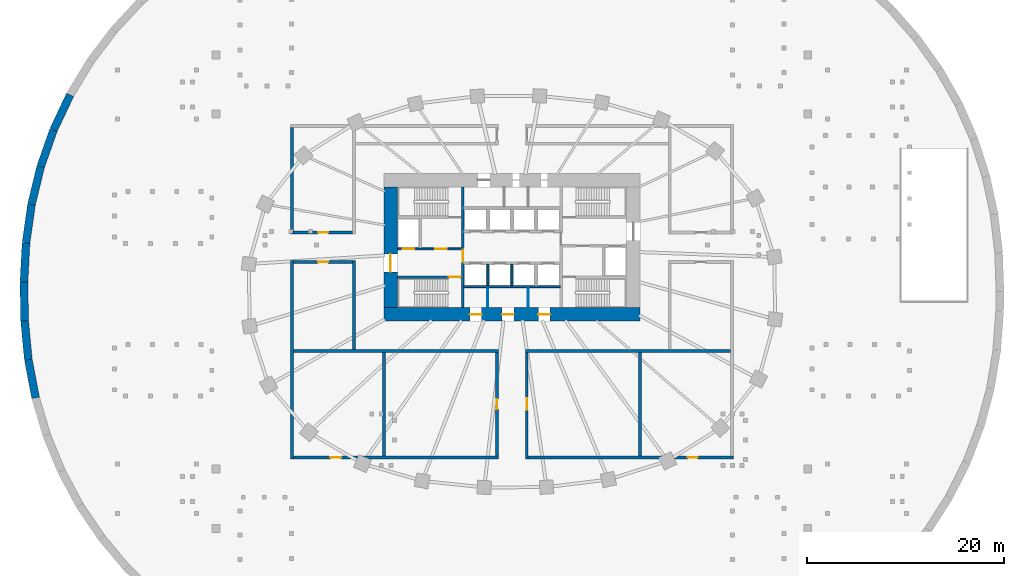
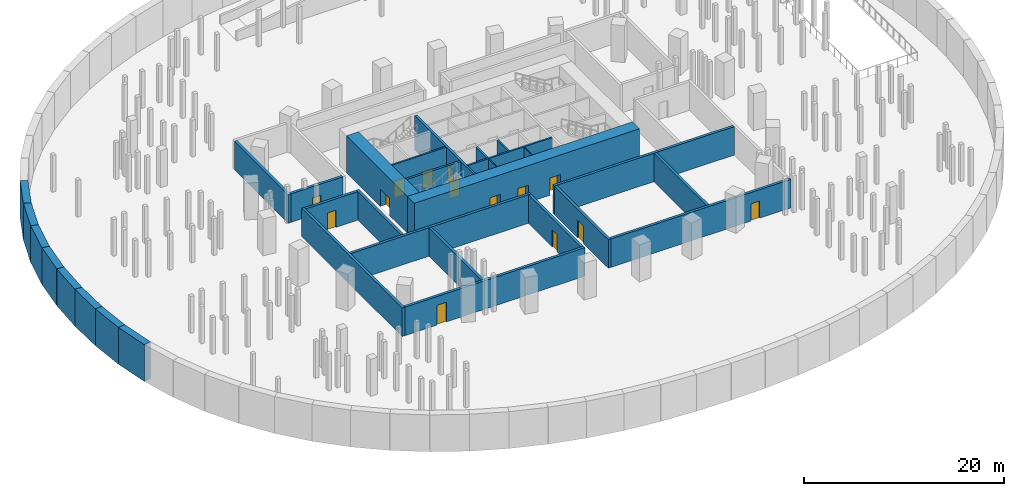
# One storey, part 4 of 9: 31 walls, 14 doors, 14 openings.
"""IFC4 building model written with IfcOpenShell, lengths in metres."""

from ifc_helpers import new_model, si_unit, direction, frame, frame_2d, origin, place, context, subcontext, project, spatial, rectangle, extrude, material, layer, layer_set, type_object, element, fill, save


model = new_model("IFC4")

# Units and contexts
model_context = context("Model", 3, precision=1e-05, world=origin(), true_north=direction((0.0, 1.0)))
body_context = subcontext(model_context, "Body", "Model", "MODEL_VIEW")
ifc_project = project(units=[si_unit("LENGTHUNIT", "METRE"), si_unit("AREAUNIT", "SQUARE_METRE"), si_unit("VOLUMEUNIT", "CUBIC_METRE"), si_unit("PLANEANGLEUNIT", "RADIAN"), si_unit("MASSUNIT", "GRAM", prefix="KILO")], contexts=[model_context])

# Site, building, storey
site_placement = place(None, origin())
site = spatial("IfcSite", under=ifc_project, at=site_placement, CompositionType="ELEMENT")
building_placement = place(site_placement, origin())
building = spatial("IfcBuilding", under=site, at=building_placement, Name="Rubra Terraces Tower", CompositionType="ELEMENT")
storey_placement = place(building_placement, frame((0.0, 0.0, -10.5)))
storey = spatial("IfcBuildingStorey", under=building, at=storey_placement, Name="B2", CompositionType="ELEMENT", Elevation=-10.5)

# Walls
ifc_material_1 = material(Name="Concrete C40", Category="concrete")
ifc_layer_1 = layer(ifc_material_1, 0.800048828125)
ifc_layer_set_1 = layer_set([ifc_layer_1], Name="Concrete C40")
wall_type_1 = type_object("IfcWallType", Name="BASEMENT WALL 800", PredefinedType="SOLIDWALL", material=ifc_layer_set_1)
wall_1_placement = place(storey_placement, frame((-48.31298828125, -10.77197265625, 0.0), z_axis=(0.0, 0.0, 1.0), x_axis=(-0.187291226667, 0.982304431637, 0.0)))
element("IfcWall", 1, at=wall_1_placement, inside=storey, type_object=wall_type_1, Name="wall-B2-basement-036", PredefinedType="SOLIDWALL", context=body_context, shape_type="SweptSolid", body=[
    extrude(rectangle(XDim=3.94580078125, YDim=0.800048828125, at=frame_2d((1.972900390625, 0.0))), origin(), (0.0, 0.0, 1.0), 4.5),
])
wall_2_placement = place(storey_placement, frame((-49.052001953125, -6.89599609375, 0.0), z_axis=(0.0, 0.0, 1.0), x_axis=(-0.095235161582, 0.995454802589, 0.0)))
element("IfcWall", 2, at=wall_2_placement, inside=storey, type_object=wall_type_1, Name="wall-B2-basement-037", PredefinedType="SOLIDWALL", context=body_context, shape_type="SweptSolid", body=[
    extrude(rectangle(XDim=3.94775390625, YDim=0.800048828125, at=frame_2d((1.973876953125, 0.0))), origin(), (0.0, 0.0, 1.0), 4.5),
])
wall_3_placement = place(storey_placement, frame((-49.427978515625, -2.966064453125, 0.0), z_axis=(0.0, 0.0, 1.0), x_axis=(-0.016664352334, 0.99986114004, 0.0)))
element("IfcWall", 3, at=wall_3_placement, inside=storey, type_object=wall_type_1, Name="wall-B2-basement-038", PredefinedType="SOLIDWALL", context=body_context, shape_type="SweptSolid", body=[
    extrude(rectangle(XDim=3.95556640625, YDim=0.800048828125, at=frame_2d((1.977783203125, 0.0))), origin(), (0.0, 0.0, 1.0), 4.5),
])
wall_4_placement = place(storey_placement, frame((-49.493896484375, 0.989013671875, 0.0), z_axis=(0.0, 0.0, 1.0), x_axis=(0.053119676616, 0.998588153323, 0.0)))
element("IfcWall", 4, at=wall_4_placement, inside=storey, type_object=wall_type_1, Name="wall-B2-basement-039", PredefinedType="SOLIDWALL", context=body_context, shape_type="SweptSolid", body=[
    extrude(rectangle(XDim=3.95263671875, YDim=0.800048828125, at=frame_2d((1.976318359375, 0.0))), origin(), (0.0, 0.0, 1.0), 4.5),
])
wall_5_placement = place(storey_placement, frame((-49.283935546875, 4.93603515625, 0.0), z_axis=(0.0, 0.0, 1.0), x_axis=(0.14059001303, 0.990067900821, 0.0)))
element("IfcWall", 5, at=wall_5_placement, inside=storey, type_object=wall_type_1, Name="wall-B2-basement-040", PredefinedType="SOLIDWALL", context=body_context, shape_type="SweptSolid", body=[
    extrude(rectangle(XDim=3.947265625, YDim=0.800048828125, at=frame_2d((1.9736328125, 0.0))), origin(), (0.0, 0.0, 1.0), 4.5),
])
wall_6_placement = place(storey_placement, frame((-48.72900390625, 8.843994140625, 0.0), z_axis=(0.0, 0.0, 1.0), x_axis=(0.235126783893, 0.971964708977, 0.0)))
element("IfcWall", 6, at=wall_6_placement, inside=storey, type_object=wall_type_1, Name="wall-B2-basement-041", PredefinedType="SOLIDWALL", context=body_context, shape_type="SweptSolid", body=[
    extrude(rectangle(XDim=3.942626953125, YDim=0.800048828125, at=frame_2d((1.97119140625, 0.0))), origin(), (0.0, 0.0, 1.0), 4.5),
])
wall_7_placement = place(storey_placement, frame((-47.802001953125, 12.676025390625, 0.0), z_axis=(0.0, 0.0, 1.0), x_axis=(0.331378765585, 0.94349780801, 0.0)))
element("IfcWall", 7, at=wall_7_placement, inside=storey, type_object=wall_type_1, Name="wall-B2-basement-042", PredefinedType="SOLIDWALL", context=body_context, shape_type="SweptSolid", body=[
    extrude(rectangle(XDim=3.94384765625, YDim=0.800048828125, at=frame_2d((1.971923828125, 0.0))), origin(), (0.0, 0.0, 1.0), 4.5),
])
wall_8_placement = place(storey_placement, frame((-46.4951171875, 16.39697265625, 0.0), z_axis=(0.0, 0.0, 1.0), x_axis=(0.425910354888, 0.904765367153, 0.0)))
element("IfcWall", 8, at=wall_8_placement, inside=storey, type_object=wall_type_1, Name="wall-B2-basement-043", PredefinedType="SOLIDWALL", context=body_context, shape_type="SweptSolid", body=[
    extrude(rectangle(XDim=3.942626953125, YDim=0.800048828125, at=frame_2d((1.97119140625, 0.0))), origin(), (0.0, 0.0, 1.0), 4.5),
])

# Wall, openings, doors
ifc_material_2 = material(Name="Concrete C70", Category="concrete")
ifc_layer_2 = layer(ifc_material_2, 1.39990234375)
ifc_layer_set_2 = layer_set([ifc_layer_2], Name="Concrete C70")
wall_type_2 = type_object("IfcWallType", Name="CORE WALL 1400 C70", PredefinedType="SHEAR", material=ifc_layer_set_2)
wall_9_placement = place(storey_placement, frame((-13.0, -2.300048828125, 0.0), z_axis=(0.0, 0.0, 1.0), x_axis=(1.0, 0.0, 0.0)))
wall_9 = element("IfcWall", 9, at=wall_9_placement, inside=storey, type_object=wall_type_2, Name="CORE WALL S B2", PredefinedType="SHEAR", context=body_context, shape_type="SweptSolid", body=[
    extrude(rectangle(XDim=26.0, YDim=1.39990234375, at=frame_2d((13.0, 0.0))), origin(), (0.0, 0.0, 1.0), 4.5),
])
opening_1_placement = place(wall_9_placement, frame((8.72509765625, 0.0, 0.0)))
opening_1 = element("IfcOpeningElement", 10, at=opening_1_placement, cuts=wall_9, Name="Opening B2.C21", PredefinedType="OPENING", context=body_context, shape_type="SweptSolid", body=[
    extrude(rectangle(XDim=1.199951171875, YDim=2.10009765625, at=frame_2d((0.60009765625, 1.050048828125))), frame((0.0, 0.7099609375, 0.0), z_axis=(0.0, -1.0, 0.0), x_axis=(1.0, 0.0, 0.0)), (0.0, 0.0, 1.0), 1.419921875),
])
opening_2_placement = place(wall_9_placement, frame((12.0, 0.0, 0.0)))
opening_2 = element("IfcOpeningElement", 11, at=opening_2_placement, cuts=wall_9, Name="Opening B2.C22", PredefinedType="OPENING", context=body_context, shape_type="SweptSolid", body=[
    extrude(rectangle(XDim=1.199951171875, YDim=2.10009765625, at=frame_2d((0.60009765625, 1.050048828125))), frame((0.0, 0.7099609375, 0.0), z_axis=(0.0, -1.0, 0.0), x_axis=(1.0, 0.0, 0.0)), (0.0, 0.0, 1.0), 1.419921875),
])
opening_3_placement = place(wall_9_placement, frame((15.675048828125, 0.0, 0.0)))
opening_3 = element("IfcOpeningElement", 12, at=opening_3_placement, cuts=wall_9, Name="Opening B2.C23", PredefinedType="OPENING", context=body_context, shape_type="SweptSolid", body=[
    extrude(rectangle(XDim=1.199951171875, YDim=2.10009765625, at=frame_2d((0.60009765625, 1.050048828125))), frame((0.0, 0.7099609375, 0.0), z_axis=(0.0, -1.0, 0.0), x_axis=(1.0, 0.0, 0.0)), (0.0, 0.0, 1.0), 1.419921875),
])
ifc_material_3 = material(Name="Painted steel", Category="steel")
door_type_1 = type_object("IfcDoorType", Name="Fire door 1200x2100 single", OperationType="NOTDEFINED", PredefinedType="DOOR", material=ifc_material_3)
door_1_placement = place(opening_1_placement, origin())
door_1 = element("IfcDoor", 13, at=door_1_placement, inside=storey, type_object=door_type_1, Name="Standby power room door", OperationType="SINGLE_SWING_LEFT", OverallHeight=2.10009765625, OverallWidth=1.199951171875, PredefinedType="DOOR", context=body_context, shape_type="SweptSolid", body=[
    extrude(rectangle(XDim=1.199951171875, YDim=2.10009765625, at=frame_2d((0.60009765625, 1.050048828125))), frame((0.0, 0.02490234375, 0.0), z_axis=(0.0, -1.0, 0.0), x_axis=(1.0, 0.0, 0.0)), (0.0, 0.0, 1.0), 0.050048828125),
])
fill(opening_1, door_1)
door_2_placement = place(opening_2_placement, origin())
door_2 = element("IfcDoor", 14, at=door_2_placement, inside=storey, type_object=door_type_1, Name="Pump room door", OperationType="SINGLE_SWING_RIGHT", OverallHeight=2.10009765625, OverallWidth=1.199951171875, PredefinedType="DOOR", context=body_context, shape_type="SweptSolid", body=[
    extrude(rectangle(XDim=1.199951171875, YDim=2.10009765625, at=frame_2d((0.60009765625, 1.050048828125))), frame((0.0, 0.02490234375, 0.0), z_axis=(0.0, -1.0, 0.0), x_axis=(1.0, 0.0, 0.0)), (0.0, 0.0, 1.0), 0.050048828125),
])
fill(opening_2, door_2)
door_3_placement = place(opening_3_placement, origin())
door_3 = element("IfcDoor", 15, at=door_3_placement, inside=storey, type_object=door_type_1, Name="Air handling plant room door", OperationType="SINGLE_SWING_LEFT", OverallHeight=2.10009765625, OverallWidth=1.199951171875, PredefinedType="DOOR", context=body_context, shape_type="SweptSolid", body=[
    extrude(rectangle(XDim=1.199951171875, YDim=2.10009765625, at=frame_2d((0.60009765625, 1.050048828125))), frame((0.0, 0.02490234375, 0.0), z_axis=(0.0, -1.0, 0.0), x_axis=(1.0, 0.0, 0.0)), (0.0, 0.0, 1.0), 0.050048828125),
])
fill(opening_3, door_3)

# Wall, opening, door
wall_10_placement = place(storey_placement, frame((-12.300048828125, -1.60009765625, 0.0), z_axis=(0.0, 0.0, 1.0), x_axis=(0.0, 1.0, 0.0)))
wall_10 = element("IfcWall", 16, at=wall_10_placement, inside=storey, type_object=wall_type_2, Name="CORE WALL W B2", PredefinedType="SHEAR", context=body_context, shape_type="SweptSolid", body=[
    extrude(rectangle(XDim=12.2001953125, YDim=1.39990234375, at=frame_2d((6.10009765625, 0.0))), origin(), (0.0, 0.0, 1.0), 4.5),
])
opening_4_placement = place(wall_10_placement, frame((3.60009765625, 0.0, 0.0)))
opening_4 = element("IfcOpeningElement", 17, at=opening_4_placement, cuts=wall_10, Name="Opening B2.C01", PredefinedType="OPENING", context=body_context, shape_type="SweptSolid", body=[
    extrude(rectangle(XDim=1.800048828125, YDim=2.10009765625, at=frame_2d((0.89990234375, 1.050048828125))), frame((0.0, 0.7099609375, 0.0), z_axis=(0.0, -1.0, 0.0), x_axis=(1.0, 0.0, 0.0)), (0.0, 0.0, 1.0), 1.419921875),
])
door_type_2 = type_object("IfcDoorType", Name="Fire door 1800x2100 double", OperationType="NOTDEFINED", PredefinedType="DOOR", material=ifc_material_3)
door_4_placement = place(opening_4_placement, origin())
door_4 = element("IfcDoor", 18, at=door_4_placement, inside=storey, type_object=door_type_2, Name="Core entrance door FF1", OperationType="DOUBLE_DOOR_SINGLE_SWING", OverallHeight=2.10009765625, OverallWidth=1.800048828125, PredefinedType="DOOR", context=body_context, shape_type="SweptSolid", body=[
    extrude(rectangle(XDim=1.800048828125, YDim=2.10009765625, at=frame_2d((0.89990234375, 1.050048828125))), frame((0.0, 0.02490234375, 0.0), z_axis=(0.0, -1.0, 0.0), x_axis=(1.0, 0.0, 0.0)), (0.0, 0.0, 1.0), 0.050048828125),
])
fill(opening_4, door_4)

# Wall, openings, doors
ifc_material_4 = material(Name="Concrete C30", Category="concrete")
ifc_layer_3 = layer(ifc_material_4, 0.199951171875)
ifc_layer_set_3 = layer_set([ifc_layer_3], Name="Concrete C30")
wall_type_3 = type_object("IfcWallType", Name="Core wall 200 concrete", PredefinedType="SOLIDWALL", material=ifc_layer_set_3)
wall_11_placement = place(storey_placement, frame((-11.60009765625, 4.35009765625, 0.0), z_axis=(0.0, 0.0, 1.0), x_axis=(1.0, 0.0, 0.0)))
wall_11 = element("IfcWall", 19, at=wall_11_placement, inside=storey, type_object=wall_type_3, Name="STAIR WALL B2", PredefinedType="SOLIDWALL", context=body_context, shape_type="SweptSolid", body=[
    extrude(rectangle(XDim=6.5, YDim=0.199951171875, at=frame_2d((3.25, 0.0))), origin(), (0.0, 0.0, 1.0), 4.199951171875),
])
opening_5_placement = place(wall_11_placement, frame((3.800048828125, 0.0, 0.0)))
opening_5 = element("IfcOpeningElement", 20, at=opening_5_placement, cuts=wall_11, Name="Opening B2.C05", PredefinedType="OPENING", context=body_context, shape_type="SweptSolid", body=[
    extrude(rectangle(XDim=1.199951171875, YDim=2.10009765625, at=frame_2d((0.60009765625, 1.050048828125))), frame((0.0, 0.10986328125, 0.0), z_axis=(0.0, -1.0, 0.0), x_axis=(1.0, 0.0, 0.0)), (0.0, 0.0, 1.0), 0.219970703125),
])
opening_6_placement = place(wall_11_placement, frame((0.5, 0.0, 0.0)))
opening_6 = element("IfcOpeningElement", 21, at=opening_6_placement, cuts=wall_11, Name="Opening B2.C11", PredefinedType="OPENING", context=body_context, shape_type="SweptSolid", body=[
    extrude(rectangle(XDim=1.199951171875, YDim=2.10009765625, at=frame_2d((0.60009765625, 1.050048828125))), frame((0.0, 0.10986328125, 0.0), z_axis=(0.0, -1.0, 0.0), x_axis=(1.0, 0.0, 0.0)), (0.0, 0.0, 1.0), 0.219970703125),
])
door_5_placement = place(opening_5_placement, origin())
door_5 = element("IfcDoor", 22, at=door_5_placement, inside=storey, type_object=door_type_1, Name="Stair vestibule door S2", OperationType="SINGLE_SWING_LEFT", OverallHeight=2.10009765625, OverallWidth=1.199951171875, PredefinedType="DOOR", context=body_context, shape_type="SweptSolid", body=[
    extrude(rectangle(XDim=1.199951171875, YDim=2.10009765625, at=frame_2d((0.60009765625, 1.050048828125))), frame((0.0, 0.02490234375, 0.0), z_axis=(0.0, -1.0, 0.0), x_axis=(1.0, 0.0, 0.0)), (0.0, 0.0, 1.0), 0.050048828125),
])
fill(opening_5, door_5)
ifc_material_5 = material(Name="Stainless steel", Category="steel")
door_type_3 = type_object("IfcDoorType", Name="Lift landing door 1200x2100", OperationType="NOTDEFINED", PredefinedType="DOOR", material=ifc_material_5)
door_6_placement = place(opening_6_placement, origin())
door_6 = element("IfcDoor", 23, at=door_6_placement, inside=storey, type_object=door_type_3, Name="Landing door FF1", OperationType="SLIDING_TO_RIGHT", OverallHeight=2.10009765625, OverallWidth=1.199951171875, PredefinedType="DOOR", context=body_context, shape_type="SweptSolid", body=[
    extrude(rectangle(XDim=1.199951171875, YDim=2.10009765625, at=frame_2d((0.60009765625, 1.050048828125))), frame((0.0, 0.02490234375, 0.0), z_axis=(0.0, -1.0, 0.0), x_axis=(1.0, 0.0, 0.0)), (0.0, 0.0, 1.0), 0.050048828125),
])
fill(opening_6, door_6)

# Walls
wall_12_placement = place(storey_placement, frame((-4.89990234375, 0.5, 0.0), z_axis=(0.0, 0.0, 1.0), x_axis=(1.0, 0.0, 0.0)))
element("IfcWall", 24, at=wall_12_placement, inside=storey, type_object=wall_type_3, Name="LIFT SHAFT WALL B2", PredefinedType="SOLIDWALL", context=body_context, shape_type="SweptSolid", body=[
    extrude(rectangle(XDim=9.7998046875, YDim=0.199951171875, at=frame_2d((4.89990234375, 0.0))), origin(), (0.0, 0.0, 1.0), 4.199951171875),
])
for number, where, z_axis, x_axis, name in (
    (25, (-2.449951171875, 0.60009765625, 0.0), (0.0, 0.0, 1.0), (0.0, 1.0, 0.0), "LIFT SHAFT WALL B2"),
    (26, (0.0, 0.60009765625, 0.0), (0.0, 0.0, 1.0), (0.0, 1.0, 0.0), "LIFT SHAFT WALL B2"),
):
    element("IfcWall", number, at=place(storey_placement, frame(where, z_axis=z_axis, x_axis=x_axis)), inside=storey, type_object=wall_type_3, Name=name, PredefinedType="SOLIDWALL", context=body_context, shape_type="SweptSolid", body=[
        extrude(rectangle(XDim=2.199951171875, YDim=0.199951171875, at=frame_2d((1.10009765625, 0.0))), origin(), (0.0, 0.0, 1.0), 4.199951171875),
    ])
ifc_material_6 = material(Name="Blockwork", Category="masonry")
ifc_layer_4 = layer(ifc_material_6, 0.300048828125)
ifc_layer_set_4 = layer_set([ifc_layer_4], Name="Blockwork")
wall_type_4 = type_object("IfcWallType", Name="Plant wall 300 blockwork", PredefinedType="SOLIDWALL", material=ifc_layer_set_4)
wall_13_placement = place(storey_placement, frame((-13.0, -16.64990234375, 0.0), z_axis=(0.0, 0.0, 1.0), x_axis=(0.0, 1.0, 0.0)))
element("IfcWall", 27, at=wall_13_placement, inside=storey, type_object=wall_type_4, Name="Plant room wall", PredefinedType="SOLIDWALL", context=body_context, shape_type="SweptSolid", body=[
    extrude(rectangle(XDim=10.5, YDim=0.300048828125, at=frame_2d((5.25, 0.0))), origin(), (0.0, 0.0, 1.0), 3.47998046875),
])
wall_14_placement = place(storey_placement, frame((-1.35009765625, -6.0, 0.0), z_axis=(0.0, 0.0, 1.0), x_axis=(-1.0, 0.0, 0.0)))
element("IfcWall", 28, at=wall_14_placement, inside=storey, type_object=wall_type_4, Name="Plant room wall", PredefinedType="SOLIDWALL", context=body_context, shape_type="SweptSolid", body=[
    extrude(rectangle(XDim=20.7998046875, YDim=0.300048828125, at=frame_2d((10.39990234375, 0.0))), origin(), (0.0, 0.0, 1.0), 3.47998046875),
])
wall_15_placement = place(storey_placement, frame((-22.300048828125, 3.14990234375, 0.0), z_axis=(0.0, 0.0, 1.0), x_axis=(0.0, -1.0, 0.0)))
element("IfcWall", 29, at=wall_15_placement, inside=storey, type_object=wall_type_4, Name="Plant room wall", PredefinedType="SOLIDWALL", context=body_context, shape_type="SweptSolid", body=[
    extrude(rectangle(XDim=20.099853515625, YDim=0.300048828125, at=frame_2d((10.0498046875, 0.0))), origin(), (0.0, 0.0, 1.0), 3.47998046875),
])

# Wall, opening, door
wall_16_placement = place(storey_placement, frame((-22.14990234375, -16.800048828125, 0.0), z_axis=(0.0, 0.0, 1.0), x_axis=(1.0, 0.0, 0.0)))
wall_16 = element("IfcWall", 30, at=wall_16_placement, inside=storey, type_object=wall_type_4, Name="Plant room wall", PredefinedType="SOLIDWALL", context=body_context, shape_type="SweptSolid", body=[
    extrude(rectangle(XDim=20.7998046875, YDim=0.300048828125, at=frame_2d((10.39990234375, 0.0))), origin(), (0.0, 0.0, 1.0), 3.47998046875),
])
opening_7_placement = place(wall_16_placement, frame((3.722900390625, 0.0, 0.0)))
opening_7 = element("IfcOpeningElement", 31, at=opening_7_placement, cuts=wall_16, Name="Opening DB9", PredefinedType="OPENING", context=body_context, shape_type="SweptSolid", body=[
    extrude(rectangle(XDim=1.10009765625, YDim=2.39990234375, at=frame_2d((0.550048828125, 1.199951171875))), frame((0.0, 0.159912109375, 0.0), z_axis=(0.0, -1.0, 0.0), x_axis=(1.0, 0.0, 0.0)), (0.0, 0.0, 1.0), 0.320068359375),
])
door_type_4 = type_object("IfcDoorType", Name="Plant access door 1100x2400", OperationType="NOTDEFINED", PredefinedType="DOOR", material=ifc_material_3)
door_7_placement = place(opening_7_placement, origin())
door_7 = element("IfcDoor", 32, at=door_7_placement, inside=storey, type_object=door_type_4, Name="Plant room door B2-01", OperationType="SINGLE_SWING_LEFT", OverallHeight=2.39990234375, OverallWidth=1.10009765625, PredefinedType="DOOR", context=body_context, shape_type="SweptSolid", body=[
    extrude(rectangle(XDim=1.10009765625, YDim=2.39990234375, at=frame_2d((0.550048828125, 1.199951171875))), frame((0.0, 0.02490234375, 0.0), z_axis=(0.0, -1.0, 0.0), x_axis=(1.0, 0.0, 0.0)), (0.0, 0.0, 1.0), 0.050048828125),
])
fill(opening_7, door_7)

wall_17_placement = place(storey_placement, frame((-1.5, -16.64990234375, 0.0), z_axis=(0.0, 0.0, 1.0), x_axis=(0.0, 1.0, 0.0)))
wall_17 = element("IfcWall", 33, at=wall_17_placement, inside=storey, type_object=wall_type_4, Name="Plant room wall", PredefinedType="SOLIDWALL", context=body_context, shape_type="SweptSolid", body=[
    extrude(rectangle(XDim=10.5, YDim=0.300048828125, at=frame_2d((5.25, 0.0))), origin(), (0.0, 0.0, 1.0), 3.47998046875),
])
opening_8_placement = place(wall_17_placement, frame((4.75, 0.0, 0.0)))
opening_8 = element("IfcOpeningElement", 34, at=opening_8_placement, cuts=wall_17, Name="Opening DB1", PredefinedType="OPENING", context=body_context, shape_type="SweptSolid", body=[
    extrude(rectangle(XDim=1.0, YDim=2.10009765625, at=frame_2d((0.5, 1.050048828125))), frame((0.0, 0.159912109375, 0.0), z_axis=(0.0, -1.0, 0.0), x_axis=(1.0, 0.0, 0.0)), (0.0, 0.0, 1.0), 0.320068359375),
])
ifc_material_7 = material(Name="Painted timber", Category="wood")
door_type_5 = type_object("IfcDoorType", Name="Door 1000x2100 single", OperationType="NOTDEFINED", PredefinedType="DOOR", material=ifc_material_7)
door_8_placement = place(opening_8_placement, origin())
door_8 = element("IfcDoor", 35, at=door_8_placement, inside=storey, type_object=door_type_5, Name="Plant room door B2-02", OperationType="SINGLE_SWING_LEFT", OverallHeight=2.10009765625, OverallWidth=1.0, PredefinedType="DOOR", context=body_context, shape_type="SweptSolid", body=[
    extrude(rectangle(XDim=1.0, YDim=2.10009765625, at=frame_2d((0.5, 1.050048828125))), frame((0.0, 0.02490234375, 0.0), z_axis=(0.0, -1.0, 0.0), x_axis=(1.0, 0.0, 0.0)), (0.0, 0.0, 1.0), 0.050048828125),
])
fill(opening_8, door_8)

# Walls
wall_18_placement = place(storey_placement, frame((13.0, -16.64990234375, 0.0), z_axis=(0.0, 0.0, 1.0), x_axis=(0.0, 1.0, 0.0)))
element("IfcWall", 36, at=wall_18_placement, inside=storey, type_object=wall_type_4, Name="Plant room wall", PredefinedType="SOLIDWALL", context=body_context, shape_type="SweptSolid", body=[
    extrude(rectangle(XDim=10.5, YDim=0.300048828125, at=frame_2d((5.25, 0.0))), origin(), (0.0, 0.0, 1.0), 3.47998046875),
])
wall_19_placement = place(storey_placement, frame((22.14990234375, -6.0, 0.0), z_axis=(0.0, 0.0, 1.0), x_axis=(-1.0, 0.0, 0.0)))
element("IfcWall", 37, at=wall_19_placement, inside=storey, type_object=wall_type_4, Name="Plant room wall", PredefinedType="SOLIDWALL", context=body_context, shape_type="SweptSolid", body=[
    extrude(rectangle(XDim=20.7998046875, YDim=0.300048828125, at=frame_2d((10.39990234375, 0.0))), origin(), (0.0, 0.0, 1.0), 3.47998046875),
])

# Wall, opening, door
wall_20_placement = place(storey_placement, frame((1.5, -6.14990234375, 0.0), z_axis=(0.0, 0.0, 1.0), x_axis=(0.0, -1.0, 0.0)))
wall_20 = element("IfcWall", 38, at=wall_20_placement, inside=storey, type_object=wall_type_4, Name="Plant room wall", PredefinedType="SOLIDWALL", context=body_context, shape_type="SweptSolid", body=[
    extrude(rectangle(XDim=10.800048828125, YDim=0.300048828125, at=frame_2d((5.39990234375, 0.0))), origin(), (0.0, 0.0, 1.0), 3.47998046875),
])
opening_9_placement = place(wall_20_placement, frame((4.64990234375, 0.0, 0.0)))
opening_9 = element("IfcOpeningElement", 39, at=opening_9_placement, cuts=wall_20, Name="Opening DB2", PredefinedType="OPENING", context=body_context, shape_type="SweptSolid", body=[
    extrude(rectangle(XDim=1.199951171875, YDim=2.10009765625, at=frame_2d((0.60009765625, 1.050048828125))), frame((0.0, 0.159912109375, 0.0), z_axis=(0.0, -1.0, 0.0), x_axis=(1.0, 0.0, 0.0)), (0.0, 0.0, 1.0), 0.320068359375),
])
door_type_6 = type_object("IfcDoorType", Name="Door 1200x2100 plant", OperationType="NOTDEFINED", PredefinedType="DOOR", material=ifc_material_3)
door_9_placement = place(opening_9_placement, origin())
door_9 = element("IfcDoor", 40, at=door_9_placement, inside=storey, type_object=door_type_6, Name="Plant room door B2-03", OperationType="SINGLE_SWING_LEFT", OverallHeight=2.10009765625, OverallWidth=1.199951171875, PredefinedType="DOOR", context=body_context, shape_type="SweptSolid", body=[
    extrude(rectangle(XDim=1.199951171875, YDim=2.10009765625, at=frame_2d((0.60009765625, 1.050048828125))), frame((0.0, 0.02490234375, 0.0), z_axis=(0.0, -1.0, 0.0), x_axis=(1.0, 0.0, 0.0)), (0.0, 0.0, 1.0), 0.050048828125),
])
fill(opening_9, door_9)

wall_21_placement = place(storey_placement, frame((1.64990234375, -16.800048828125, 0.0), z_axis=(0.0, 0.0, 1.0), x_axis=(1.0, 0.0, 0.0)))
wall_21 = element("IfcWall", 41, at=wall_21_placement, inside=storey, type_object=wall_type_4, Name="Plant room wall", PredefinedType="SOLIDWALL", context=body_context, shape_type="SweptSolid", body=[
    extrude(rectangle(XDim=20.800048828125, YDim=0.300048828125, at=frame_2d((10.39990234375, 0.0))), origin(), (0.0, 0.0, 1.0), 3.47998046875),
])
opening_10_placement = place(wall_21_placement, frame((16.179931640625, 0.0, 0.0)))
opening_10 = element("IfcOpeningElement", 42, at=opening_10_placement, cuts=wall_21, Name="Opening DB1", PredefinedType="OPENING", context=body_context, shape_type="SweptSolid", body=[
    extrude(rectangle(XDim=1.0, YDim=2.10009765625, at=frame_2d((0.5, 1.050048828125))), frame((0.0, 0.159912109375, 0.0), z_axis=(0.0, -1.0, 0.0), x_axis=(1.0, 0.0, 0.0)), (0.0, 0.0, 1.0), 0.320068359375),
])
door_10_placement = place(opening_10_placement, origin())
door_10 = element("IfcDoor", 43, at=door_10_placement, inside=storey, type_object=door_type_5, Name="Plant room door B2-04", OperationType="SINGLE_SWING_LEFT", OverallHeight=2.10009765625, OverallWidth=1.0, PredefinedType="DOOR", context=body_context, shape_type="SweptSolid", body=[
    extrude(rectangle(XDim=1.0, YDim=2.10009765625, at=frame_2d((0.5, 1.050048828125))), frame((0.0, 0.02490234375, 0.0), z_axis=(0.0, -1.0, 0.0), x_axis=(1.0, 0.0, 0.0)), (0.0, 0.0, 1.0), 0.050048828125),
])
fill(opening_10, door_10)

# Wall
wall_22_placement = place(storey_placement, frame((-16.0, -5.85009765625, 0.0), z_axis=(0.0, 0.0, 1.0), x_axis=(0.0, 1.0, 0.0)))
element("IfcWall", 44, at=wall_22_placement, inside=storey, type_object=wall_type_4, Name="Plant room wall", PredefinedType="SOLIDWALL", context=body_context, shape_type="SweptSolid", body=[
    extrude(rectangle(XDim=9.0, YDim=0.300048828125, at=frame_2d((4.5, 0.0))), origin(), (0.0, 0.0, 1.0), 3.47998046875),
])

# Wall, opening, door
wall_23_placement = place(storey_placement, frame((-16.14990234375, 3.0, 0.0), z_axis=(0.0, 0.0, 1.0), x_axis=(-1.0, 0.0, 0.0)))
wall_23 = element("IfcWall", 45, at=wall_23_placement, inside=storey, type_object=wall_type_4, Name="Plant room wall", PredefinedType="SOLIDWALL", context=body_context, shape_type="SweptSolid", body=[
    extrude(rectangle(XDim=6.0, YDim=0.300048828125, at=frame_2d((3.0, 0.0))), origin(), (0.0, 0.0, 1.0), 3.47998046875),
])
opening_11_placement = place(wall_23_placement, frame((2.5, 0.0, 0.0)))
opening_11 = element("IfcOpeningElement", 46, at=opening_11_placement, cuts=wall_23, Name="Opening DB1", PredefinedType="OPENING", context=body_context, shape_type="SweptSolid", body=[
    extrude(rectangle(XDim=1.0, YDim=2.10009765625, at=frame_2d((0.5, 1.050048828125))), frame((0.0, 0.159912109375, 0.0), z_axis=(0.0, -1.0, 0.0), x_axis=(1.0, 0.0, 0.0)), (0.0, 0.0, 1.0), 0.320068359375),
])
door_11_placement = place(opening_11_placement, origin())
door_11 = element("IfcDoor", 47, at=door_11_placement, inside=storey, type_object=door_type_5, Name="Plant room door B2-05", OperationType="SINGLE_SWING_LEFT", OverallHeight=2.10009765625, OverallWidth=1.0, PredefinedType="DOOR", context=body_context, shape_type="SweptSolid", body=[
    extrude(rectangle(XDim=1.0, YDim=2.10009765625, at=frame_2d((0.5, 1.050048828125))), frame((0.0, 0.02490234375, 0.0), z_axis=(0.0, -1.0, 0.0), x_axis=(1.0, 0.0, 0.0)), (0.0, 0.0, 1.0), 0.050048828125),
])
fill(opening_11, door_11)

# Wall
wall_24_placement = place(storey_placement, frame((-22.300048828125, 16.64990234375, 0.0), z_axis=(0.0, 0.0, 1.0), x_axis=(0.0, -1.0, 0.0)))
element("IfcWall", 48, at=wall_24_placement, inside=storey, type_object=wall_type_4, Name="Plant room wall", PredefinedType="SOLIDWALL", context=body_context, shape_type="SweptSolid", body=[
    extrude(rectangle(XDim=10.7998046875, YDim=0.300048828125, at=frame_2d((5.39990234375, 0.0))), origin(), (0.0, 0.0, 1.0), 3.47998046875),
])

# Wall, opening, door
wall_25_placement = place(storey_placement, frame((-22.14990234375, 6.0, 0.0), z_axis=(0.0, 0.0, 1.0), x_axis=(1.0, 0.0, 0.0)))
wall_25 = element("IfcWall", 49, at=wall_25_placement, inside=storey, type_object=wall_type_4, Name="Plant room wall", PredefinedType="SOLIDWALL", context=body_context, shape_type="SweptSolid", body=[
    extrude(rectangle(XDim=6.0, YDim=0.300048828125, at=frame_2d((3.0, 0.0))), origin(), (0.0, 0.0, 1.0), 3.47998046875),
])
opening_12_placement = place(wall_25_placement, frame((2.5, 0.0, 0.0)))
opening_12 = element("IfcOpeningElement", 50, at=opening_12_placement, cuts=wall_25, Name="Opening DB1", PredefinedType="OPENING", context=body_context, shape_type="SweptSolid", body=[
    extrude(rectangle(XDim=1.0, YDim=2.10009765625, at=frame_2d((0.5, 1.050048828125))), frame((0.0, 0.159912109375, 0.0), z_axis=(0.0, -1.0, 0.0), x_axis=(1.0, 0.0, 0.0)), (0.0, 0.0, 1.0), 0.320068359375),
])
door_12_placement = place(opening_12_placement, origin())
door_12 = element("IfcDoor", 51, at=door_12_placement, inside=storey, type_object=door_type_5, Name="Plant room door B2-06", OperationType="SINGLE_SWING_LEFT", OverallHeight=2.10009765625, OverallWidth=1.0, PredefinedType="DOOR", context=body_context, shape_type="SweptSolid", body=[
    extrude(rectangle(XDim=1.0, YDim=2.10009765625, at=frame_2d((0.5, 1.050048828125))), frame((0.0, 0.02490234375, 0.0), z_axis=(0.0, -1.0, 0.0), x_axis=(1.0, 0.0, 0.0)), (0.0, 0.0, 1.0), 0.050048828125),
])
fill(opening_12, door_12)

# Walls
ifc_layer_5 = layer(ifc_material_6, 0.10009765625)
ifc_layer_set_5 = layer_set([ifc_layer_5], Name="Blockwork")
wall_type_5 = type_object("IfcWallType", Name="Service partition 100 blockwork", PredefinedType="PARTITIONING", material=ifc_layer_set_5)
for number, where, z_axis, x_axis, name in (
    (52, (-2.449951171875, -1.60009765625, 0.0), (0.0, 0.0, 1.0), (0.0, 1.0, 0.0), "SERVICE ROOM PARTITION B2"),
    (53, (1.64990234375, -1.60009765625, 0.0), (0.0, 0.0, 1.0), (0.0, 1.0, 0.0), "SERVICE ROOM PARTITION B2"),
):
    element("IfcWall", number, at=place(storey_placement, frame(where, z_axis=z_axis, x_axis=x_axis)), inside=storey, type_object=wall_type_5, Name=name, PredefinedType="PARTITIONING", context=body_context, shape_type="SweptSolid", body=[
        extrude(rectangle(XDim=2.0, YDim=0.10009765625, at=frame_2d((1.0, 0.0))), origin(), (0.0, 0.0, 1.0), 4.199951171875),
    ])

# Wall, opening, door
ifc_layer_6 = layer(ifc_material_1, 0.25)
ifc_layer_set_6 = layer_set([ifc_layer_6], Name="Concrete C40")
wall_type_6 = type_object("IfcWallType", Name="Stair enclosure wall 250 concrete", PredefinedType="SOLIDWALL", material=ifc_layer_set_6)
wall_26_placement = place(storey_placement, frame((-11.60009765625, 1.47509765625, 0.0), z_axis=(0.0, 0.0, 1.0), x_axis=(1.0, 0.0, 0.0)))
wall_26 = element("IfcWall", 54, at=wall_26_placement, inside=storey, type_object=wall_type_6, Name="STAIR WALL B2", PredefinedType="SOLIDWALL", context=body_context, shape_type="SweptSolid", body=[
    extrude(rectangle(XDim=6.5, YDim=0.25, at=frame_2d((3.25, 0.0))), origin(), (0.0, 0.0, 1.0), 4.199951171875),
])
opening_13_placement = place(wall_26_placement, frame((5.199951171875, 0.0, 0.0)))
opening_13 = element("IfcOpeningElement", 55, at=opening_13_placement, cuts=wall_26, Name="Opening B2.C07", PredefinedType="OPENING", context=body_context, shape_type="SweptSolid", body=[
    extrude(rectangle(XDim=1.199951171875, YDim=2.10009765625, at=frame_2d((0.60009765625, 1.050048828125))), frame((0.0, 0.135009765625, 0.0), z_axis=(0.0, -1.0, 0.0), x_axis=(1.0, 0.0, 0.0)), (0.0, 0.0, 1.0), 0.27001953125),
])
door_13_placement = place(opening_13_placement, origin())
door_13 = element("IfcDoor", 56, at=door_13_placement, inside=storey, type_object=door_type_1, Name="Stair door S1", OperationType="SINGLE_SWING_LEFT", OverallHeight=2.10009765625, OverallWidth=1.199951171875, PredefinedType="DOOR", context=body_context, shape_type="SweptSolid", body=[
    extrude(rectangle(XDim=1.199951171875, YDim=2.10009765625, at=frame_2d((0.60009765625, 1.050048828125))), frame((0.0, 0.02490234375, 0.0), z_axis=(0.0, -1.0, 0.0), x_axis=(1.0, 0.0, 0.0)), (0.0, 0.0, 1.0), 0.050048828125),
])
fill(opening_13, door_13)

wall_27_placement = place(storey_placement, frame((-4.97509765625, -1.60009765625, 0.0), z_axis=(0.0, 0.0, 1.0), x_axis=(0.0, 1.0, 0.0)))
wall_27 = element("IfcWall", 57, at=wall_27_placement, inside=storey, type_object=wall_type_6, Name="CORE LOBBY WALL B2", PredefinedType="SOLIDWALL", context=body_context, shape_type="SweptSolid", body=[
    extrude(rectangle(XDim=12.2001953125, YDim=0.25, at=frame_2d((6.10009765625, 0.0))), origin(), (0.0, 0.0, 1.0), 4.199951171875),
])
opening_14_placement = place(wall_27_placement, frame((4.64990234375, 0.0, 0.0)))
opening_14 = element("IfcOpeningElement", 58, at=opening_14_placement, cuts=wall_27, Name="Opening B2.C03", PredefinedType="OPENING", context=body_context, shape_type="SweptSolid", body=[
    extrude(rectangle(XDim=1.199951171875, YDim=2.10009765625, at=frame_2d((0.60009765625, 1.050048828125))), frame((0.0, 0.135009765625, 0.0), z_axis=(0.0, -1.0, 0.0), x_axis=(1.0, 0.0, 0.0)), (0.0, 0.0, 1.0), 0.27001953125),
])
door_14_placement = place(opening_14_placement, origin())
door_14 = element("IfcDoor", 59, at=door_14_placement, inside=storey, type_object=door_type_1, Name="Firefighting lobby door FF1", OperationType="SINGLE_SWING_LEFT", OverallHeight=2.10009765625, OverallWidth=1.199951171875, PredefinedType="DOOR", context=body_context, shape_type="SweptSolid", body=[
    extrude(rectangle(XDim=1.199951171875, YDim=2.10009765625, at=frame_2d((0.60009765625, 1.050048828125))), frame((0.0, 0.02490234375, 0.0), z_axis=(0.0, -1.0, 0.0), x_axis=(1.0, 0.0, 0.0)), (0.0, 0.0, 1.0), 0.050048828125),
])
fill(opening_14, door_14)

save(model, "model.ifc")
